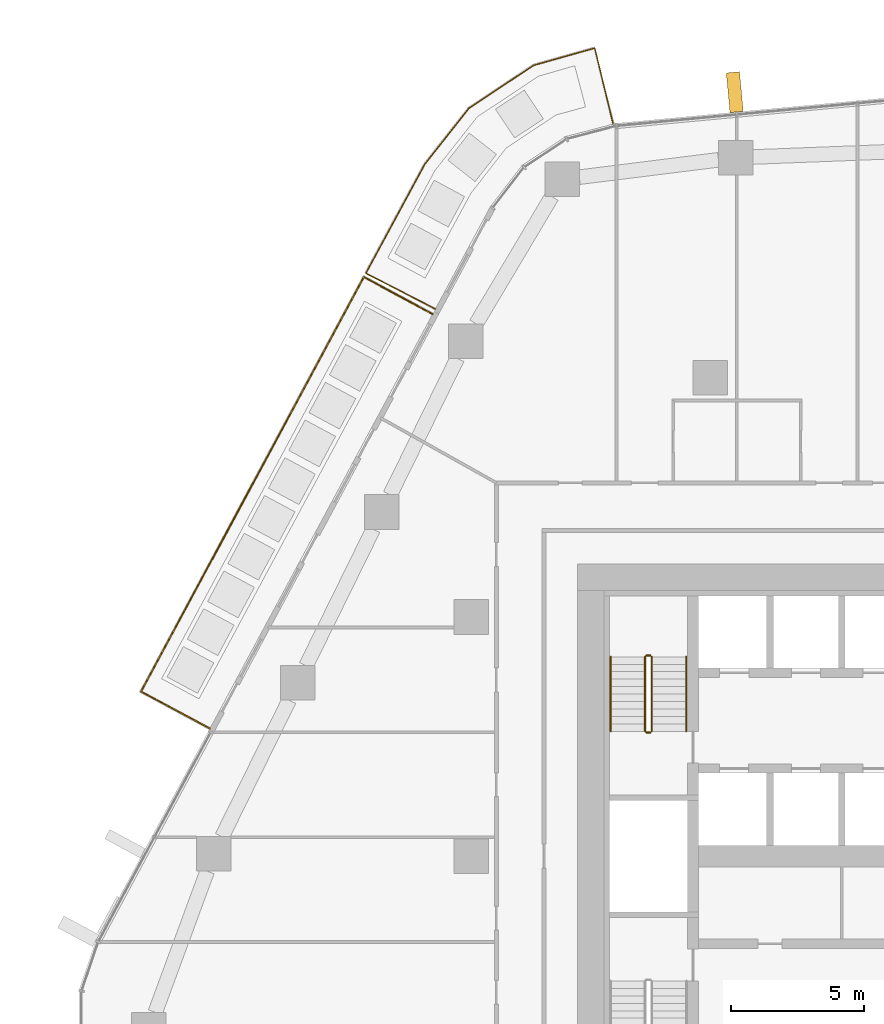
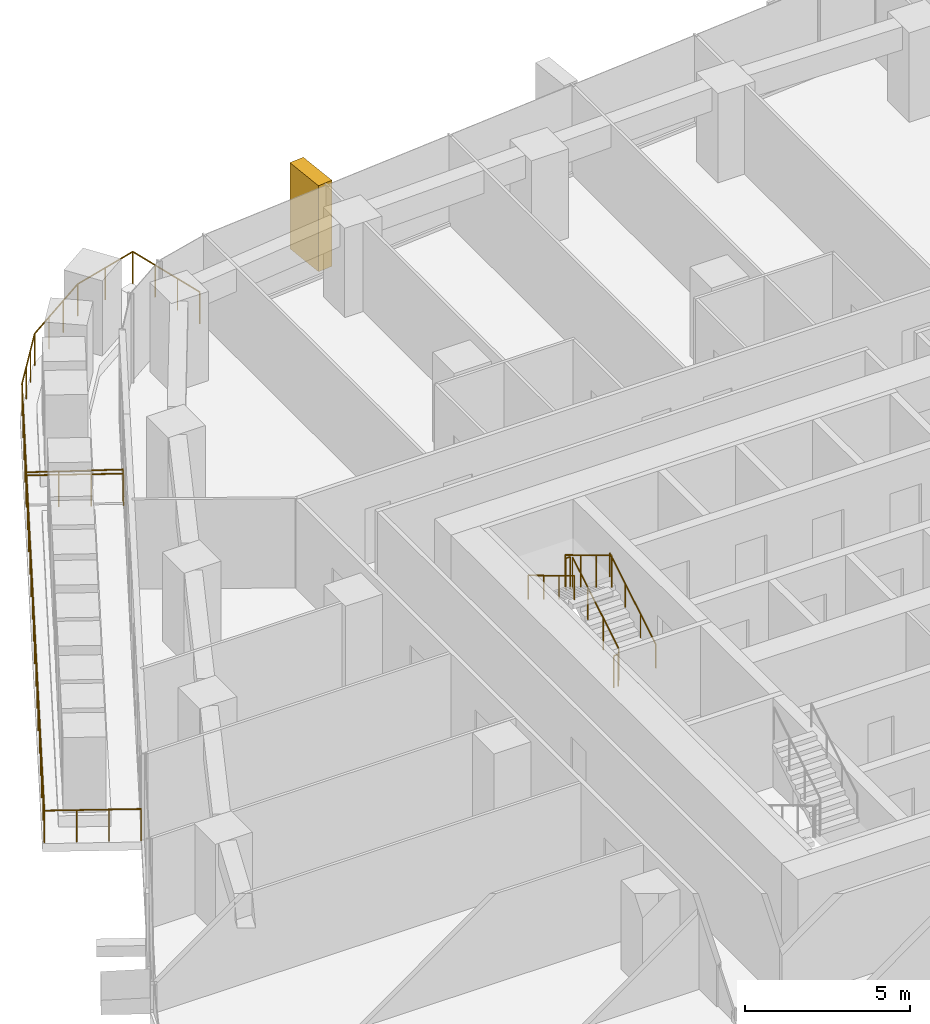
# One storey, part 22 of 24: 8 railings, 1 covering, 1 element without a shape of its own.
"""IFC4 building model written with IfcOpenShell, lengths in metres."""

from ifc_helpers import new_model, si_unit, direction, frame, origin, origin_2d, place, context, subcontext, project, spatial, rectangle, circle, extrude, material, layer, layer_set, material_profile, profile_set, type_object, element, aggregate, save


model = new_model("IFC4")

# Units and contexts
model_context = context("Model", 3, precision=1e-05, world=origin(), true_north=direction((0.0, 1.0)))
body_context = subcontext(model_context, "Body", "Model", "MODEL_VIEW")
ifc_project = project(units=[si_unit("LENGTHUNIT", "METRE"), si_unit("AREAUNIT", "SQUARE_METRE"), si_unit("VOLUMEUNIT", "CUBIC_METRE"), si_unit("PLANEANGLEUNIT", "RADIAN"), si_unit("MASSUNIT", "GRAM", prefix="KILO")], contexts=[model_context])

# Site, building, storey
site_placement = place(None, origin())
site = spatial("IfcSite", under=ifc_project, at=site_placement, CompositionType="ELEMENT")
building_placement = place(site_placement, origin())
building = spatial("IfcBuilding", under=site, at=building_placement, Name="Dongbaek Canopy Tower", CompositionType="ELEMENT")
storey_placement = place(building_placement, frame((0.0, 0.0, 117.39990234375)))
storey = spatial("IfcBuildingStorey", under=building, at=storey_placement, Name="L25", CompositionType="ELEMENT", Elevation=117.39990234375)

# Railings
ifc_material_1 = material(Name="Stainless steel", Category="steel")
railing_type_1 = type_object("IfcRailingType", Name="Balcony balustrade 1200", PredefinedType="BALUSTRADE", material=ifc_material_1)
railing_1_placement = place(storey_placement, frame((-19.446533203125, 20.402099609375, 0.0)))
element("IfcRailing", 1, at=railing_1_placement, inside=storey, type_object=railing_type_1, Name="Balcony guard L25 2", PredefinedType="BALUSTRADE", context=body_context, shape_type="SweptSolid", body=[
    extrude(circle(Radius=0.02392578125, at=origin_2d()), frame((0.0, 0.0, 1.17578125), z_axis=(-0.880868115947, 0.473361766842, 0.0), x_axis=(-0.473361766842, -0.880868115947, 0.0)), (0.0, 0.0, 1.0), 2.93994140625),
    extrude(circle(Radius=0.02392578125, at=origin_2d()), frame((-2.589599609375, 1.3916015625, 1.17578125), z_axis=(-0.473412360559, -0.880840925974, 0.0), x_axis=(0.880840925974, -0.473412360559, 0.0)), (0.0, 0.0, 1.0), 17.708251953125),
    extrude(circle(Radius=0.02392578125, at=origin_2d()), frame((-10.972900390625, -14.20654296875, 1.17578125), z_axis=(0.880833487352, -0.473426200753, 0.0), x_axis=(0.473426200753, 0.880833487352, 0.0)), (0.0, 0.0, 1.0), 2.93994140625),
    extrude(circle(Radius=0.02099609375, at=origin_2d()), origin(), (0.0, 0.0, 1.0), 1.15185546875),
    extrude(circle(Radius=0.02099609375, at=origin_2d()), frame((-0.86328125, 0.4638671875, 0.0)), (0.0, 0.0, 1.0), 1.15185546875),
    extrude(circle(Radius=0.02099609375, at=origin_2d()), frame((-1.726318359375, 0.927734375, 0.0)), (0.0, 0.0, 1.0), 1.15185546875),
    extrude(circle(Radius=0.02099609375, at=origin_2d()), frame((-2.589599609375, 1.3916015625, 0.0)), (0.0, 0.0, 1.0), 1.15185546875),
    extrude(circle(Radius=0.02099609375, at=origin_2d()), frame((-3.1484375, 0.351806640625, 0.0)), (0.0, 0.0, 1.0), 1.15185546875),
    extrude(circle(Radius=0.02099609375, at=origin_2d()), frame((-3.707275390625, -0.688232421875, 0.0)), (0.0, 0.0, 1.0), 1.15185546875),
    extrude(circle(Radius=0.02099609375, at=origin_2d()), frame((-4.266357421875, -1.72802734375, 0.0)), (0.0, 0.0, 1.0), 1.15185546875),
    extrude(circle(Radius=0.02099609375, at=origin_2d()), frame((-4.8251953125, -2.767822265625, 0.0)), (0.0, 0.0, 1.0), 1.15185546875),
    extrude(circle(Radius=0.02099609375, at=origin_2d()), frame((-5.384033203125, -3.807861328125, 0.0)), (0.0, 0.0, 1.0), 1.15185546875),
    extrude(circle(Radius=0.02099609375, at=origin_2d()), frame((-5.94287109375, -4.84765625, 0.0)), (0.0, 0.0, 1.0), 1.15185546875),
    extrude(circle(Radius=0.02099609375, at=origin_2d()), frame((-6.501708984375, -5.887451171875, 0.0)), (0.0, 0.0, 1.0), 1.15185546875),
    extrude(circle(Radius=0.02099609375, at=origin_2d()), frame((-7.060791015625, -6.927490234375, 0.0)), (0.0, 0.0, 1.0), 1.15185546875),
    extrude(circle(Radius=0.02099609375, at=origin_2d()), frame((-7.61962890625, -7.96728515625, 0.0)), (0.0, 0.0, 1.0), 1.15185546875),
    extrude(circle(Radius=0.02099609375, at=origin_2d()), frame((-8.178466796875, -9.007080078125, 0.0)), (0.0, 0.0, 1.0), 1.15185546875),
    extrude(circle(Radius=0.02099609375, at=origin_2d()), frame((-8.7373046875, -10.047119140625, 0.0)), (0.0, 0.0, 1.0), 1.15185546875),
    extrude(circle(Radius=0.02099609375, at=origin_2d()), frame((-9.296142578125, -11.0869140625, 0.0)), (0.0, 0.0, 1.0), 1.15185546875),
    extrude(circle(Radius=0.02099609375, at=origin_2d()), frame((-9.855224609375, -12.126708984375, 0.0)), (0.0, 0.0, 1.0), 1.15185546875),
    extrude(circle(Radius=0.02099609375, at=origin_2d()), frame((-10.4140625, -13.166748046875, 0.0)), (0.0, 0.0, 1.0), 1.15185546875),
    extrude(circle(Radius=0.02099609375, at=origin_2d()), frame((-10.972900390625, -14.20654296875, 0.0)), (0.0, 0.0, 1.0), 1.15185546875),
    extrude(circle(Radius=0.02099609375, at=origin_2d()), frame((-10.109619140625, -14.67041015625, 0.0)), (0.0, 0.0, 1.0), 1.15185546875),
    extrude(circle(Radius=0.02099609375, at=origin_2d()), frame((-9.24658203125, -15.134521484375, 0.0)), (0.0, 0.0, 1.0), 1.15185546875),
    extrude(circle(Radius=0.02099609375, at=origin_2d()), frame((-8.38330078125, -15.598388671875, 0.0)), (0.0, 0.0, 1.0), 1.15185546875),
])
railing_2_placement = place(storey_placement, frame((-12.654296875, 27.55224609375, 0.0)))
element("IfcRailing", 2, at=railing_2_placement, inside=storey, type_object=railing_type_1, Name="Balcony guard L25 6", PredefinedType="BALUSTRADE", context=body_context, shape_type="SweptSolid", body=[
    extrude(circle(Radius=0.02392578125, at=origin_2d()), frame((0.0, 0.0, 1.17578125), z_axis=(-0.234967872109, 0.97200313738, 0.0), x_axis=(-0.97200313738, -0.234967872109, 0.0)), (0.0, 0.0, 1.0), 2.9404296875),
    extrude(circle(Radius=0.02392578125, at=origin_2d()), frame((-0.69091796875, 2.858154296875, 1.17578125), z_axis=(-0.962683385064, -0.270630190707, 0.0), x_axis=(0.270630190707, -0.962683385064, 0.0)), (0.0, 0.0, 1.0), 2.3896484375),
    extrude(circle(Radius=0.02392578125, at=origin_2d()), frame((-2.991455078125, 2.21142578125, 1.17578125), z_axis=(-0.833398679356, -0.552672272914, 0.0), x_axis=(0.552672272914, -0.833398679356, 0.0)), (0.0, 0.0, 1.0), 2.91943359375),
    extrude(circle(Radius=0.02392578125, at=origin_2d()), frame((-5.424560546875, 0.597900390625, 1.17578125), z_axis=(-0.619549781099, -0.784957367467, 0.0), x_axis=(0.784957367467, -0.619549781099, 0.0)), (0.0, 0.0, 1.0), 2.680419921875),
    extrude(circle(Radius=0.02392578125, at=origin_2d()), frame((-7.085205078125, -1.506103515625, 1.17578125), z_axis=(-0.475286442309, -0.879831118884, 0.0), x_axis=(0.879831118884, -0.475286442309, 0.0)), (0.0, 0.0, 1.0), 4.6728515625),
    extrude(circle(Radius=0.02392578125, at=origin_2d()), frame((-9.30615234375, -5.617431640625, 1.17578125), z_axis=(0.890305305538, -0.455364099299, 0.0), x_axis=(0.455364099299, 0.890305305538, 0.0)), (0.0, 0.0, 1.0), 2.940673828125),
    extrude(circle(Radius=0.02099609375, at=origin_2d()), origin(), (0.0, 0.0, 1.0), 1.15185546875),
    extrude(circle(Radius=0.02099609375, at=origin_2d()), frame((-0.230224609375, 0.95263671875, 0.0)), (0.0, 0.0, 1.0), 1.15185546875),
    extrude(circle(Radius=0.02099609375, at=origin_2d()), frame((-0.460693359375, 1.905517578125, 0.0)), (0.0, 0.0, 1.0), 1.15185546875),
    extrude(circle(Radius=0.02099609375, at=origin_2d()), frame((-0.69091796875, 2.858154296875, 0.0)), (0.0, 0.0, 1.0), 1.15185546875),
    extrude(circle(Radius=0.02099609375, at=origin_2d()), frame((-1.84130859375, 2.53466796875, 0.0)), (0.0, 0.0, 1.0), 1.15185546875),
    extrude(circle(Radius=0.02099609375, at=origin_2d()), frame((-2.991455078125, 2.21142578125, 0.0)), (0.0, 0.0, 1.0), 1.15185546875),
    extrude(circle(Radius=0.02099609375, at=origin_2d()), frame((-3.802490234375, 1.673583984375, 0.0)), (0.0, 0.0, 1.0), 1.15185546875),
    extrude(circle(Radius=0.02099609375, at=origin_2d()), frame((-4.613525390625, 1.1357421875, 0.0)), (0.0, 0.0, 1.0), 1.15185546875),
    extrude(circle(Radius=0.02099609375, at=origin_2d()), frame((-5.424560546875, 0.597900390625, 0.0)), (0.0, 0.0, 1.0), 1.15185546875),
    extrude(circle(Radius=0.02099609375, at=origin_2d()), frame((-5.97802734375, -0.103515625, 0.0)), (0.0, 0.0, 1.0), 1.15185546875),
    extrude(circle(Radius=0.02099609375, at=origin_2d()), frame((-6.53173828125, -0.8046875, 0.0)), (0.0, 0.0, 1.0), 1.15185546875),
    extrude(circle(Radius=0.02099609375, at=origin_2d()), frame((-7.085205078125, -1.506103515625, 0.0)), (0.0, 0.0, 1.0), 1.15185546875),
    extrude(circle(Radius=0.02099609375, at=origin_2d()), frame((-7.640380859375, -2.533935546875, 0.0)), (0.0, 0.0, 1.0), 1.15185546875),
    extrude(circle(Radius=0.02099609375, at=origin_2d()), frame((-8.19580078125, -3.561767578125, 0.0)), (0.0, 0.0, 1.0), 1.15185546875),
    extrude(circle(Radius=0.02099609375, at=origin_2d()), frame((-8.7509765625, -4.589599609375, 0.0)), (0.0, 0.0, 1.0), 1.15185546875),
    extrude(circle(Radius=0.02099609375, at=origin_2d()), frame((-9.30615234375, -5.617431640625, 0.0)), (0.0, 0.0, 1.0), 1.15185546875),
    extrude(circle(Radius=0.02099609375, at=origin_2d()), frame((-8.433349609375, -6.063720703125, 0.0)), (0.0, 0.0, 1.0), 1.15185546875),
    extrude(circle(Radius=0.02099609375, at=origin_2d()), frame((-7.560791015625, -6.51025390625, 0.0)), (0.0, 0.0, 1.0), 1.15185546875),
    extrude(circle(Radius=0.02099609375, at=origin_2d()), frame((-6.68798828125, -6.95654296875, 0.0)), (0.0, 0.0, 1.0), 1.15185546875),
])

# Curtain wall, covering
ifc_material_2 = material(Name="Aluminium 6063-T6 pale anodised", Category="aluminium")
ifc_layer = layer(ifc_material_2, 0.199951171875)
ifc_layer_set = layer_set([ifc_layer], Name="CW-1 unitised tower curtain wall")
curtain_wall_type = type_object("IfcCurtainWallType", Name="CW-1 unitised tower curtain wall", PredefinedType="NOTDEFINED", material=ifc_layer_set)
curtain_wall_placement = place(storey_placement, origin())
curtain_wall = element("IfcCurtainWall", 3, at=curtain_wall_placement, inside=storey, type_object=curtain_wall_type, Name="CW-1 curtain wall F1.1", PredefinedType="NOTDEFINED")
ifc_material_3 = material(Name="Aluminium 6063-T6 pale metal fin", Category="aluminium")
ifc_material_profile = material_profile(ifc_material_3, rectangle(XDim=1.5, YDim=0.5, at=origin_2d()), Name="Fin FN1 500 x 1500 pale metal")
ifc_profile_set = profile_set([ifc_material_profile], Name="Aluminium 6063-T6 pale metal fin")
covering_type = type_object("IfcCoveringType", Name="Fin FN1 500 x 1500 pale metal", PredefinedType="CLADDING", material=ifc_profile_set)
covering_placement = place(storey_placement, frame((-8.076171875, 28.7529296875, 0.1201171875), z_axis=(0.0, 0.0, 1.0), x_axis=(-0.093397804951, 0.995628871634, 0.0)))
covering = element("IfcCovering", 4, at=covering_placement, type_object=covering_type, Name="Fin F1.1.5", PredefinedType="CLADDING", context=body_context, shape_type="SweptSolid", body=[
    extrude(rectangle(XDim=1.5, YDim=0.5, at=origin_2d()), origin(), (0.0, 0.0, 1.0), 3.179931640625),
])
aggregate(curtain_wall, [covering])

# Railings
ifc_material_4 = material(Name="Stainless steel tube and balusters", Category="steel")
railing_type_2 = type_object("IfcRailingType", Name="Stair guard 1200", PredefinedType="GUARDRAIL", material=ifc_material_4)
railing_3_placement = place(storey_placement, frame((-11.199951171875, 4.699951171875, 0.168212890625)))
element("IfcRailing", 5, at=railing_3_placement, inside=storey, type_object=railing_type_2, Name="L25 ST-C stair guard 1", PredefinedType="GUARDRAIL", context=body_context, shape_type="SweptSolid", body=[
    extrude(circle(Radius=0.02392578125, at=origin_2d()), frame((0.0, 0.0, 1.17578125), z_axis=(0.0, 0.857242210791, 0.514913383045), x_axis=(-1.0, 0.0, 0.0)), (0.0, 0.0, 1.0), 3.266357421875),
    extrude(circle(Radius=0.02099609375, at=origin_2d()), origin(), (0.0, 0.0, 1.0), 1.15185546875),
    extrude(circle(Radius=0.02099609375, at=origin_2d()), frame((0.0, 0.933349609375, 0.560546875)), (0.0, 0.0, 1.0), 1.15185546875),
    extrude(circle(Radius=0.02099609375, at=origin_2d()), frame((0.0, 1.86669921875, 1.121337890625)), (0.0, 0.0, 1.0), 1.15185546875),
    extrude(circle(Radius=0.02099609375, at=origin_2d()), frame((0.0, 2.800048828125, 1.681884765625)), (0.0, 0.0, 1.0), 1.15185546875),
])
railing_4_placement = place(storey_placement, frame((-11.25, 7.550048828125, 1.85009765625)))
element("IfcRailing", 6, at=railing_4_placement, inside=storey, type_object=railing_type_2, Name="L25 ST-C stair guard 2", PredefinedType="GUARDRAIL", context=body_context, shape_type="SweptSolid", body=[
    extrude(circle(Radius=0.02392578125, at=origin_2d()), frame((0.0, 0.0, 1.17578125), z_axis=(-1.0, 0.0, 0.0), x_axis=(0.0, -1.0, 0.0)), (0.0, 0.0, 1.0), 0.14990234375),
    extrude(circle(Radius=0.02099609375, at=origin_2d()), origin(), (0.0, 0.0, 1.0), 1.15185546875),
    extrude(circle(Radius=0.02099609375, at=origin_2d()), frame((-0.14990234375, 0.0, 0.0)), (0.0, 0.0, 1.0), 1.15185546875),
])
railing_5_placement = place(storey_placement, frame((-11.449951171875, 7.5, 2.018310546875)))
element("IfcRailing", 7, at=railing_5_placement, inside=storey, type_object=railing_type_2, Name="L25 ST-C stair guard 3", PredefinedType="GUARDRAIL", context=body_context, shape_type="SweptSolid", body=[
    extrude(circle(Radius=0.02392578125, at=origin_2d()), frame((0.0, 0.0, 1.17578125), z_axis=(0.0, -0.857242210791, 0.514913383045), x_axis=(1.0, 0.0, 0.0)), (0.0, 0.0, 1.0), 3.266357421875),
    extrude(circle(Radius=0.02099609375, at=origin_2d()), origin(), (0.0, 0.0, 1.0), 1.15185546875),
    extrude(circle(Radius=0.02099609375, at=origin_2d()), frame((0.0, -0.933349609375, 0.560546875)), (0.0, 0.0, 1.0), 1.15185546875),
    extrude(circle(Radius=0.02099609375, at=origin_2d()), frame((0.0, -1.86669921875, 1.121337890625)), (0.0, 0.0, 1.0), 1.15185546875),
    extrude(circle(Radius=0.02099609375, at=origin_2d()), frame((0.0, -2.800048828125, 1.681884765625)), (0.0, 0.0, 1.0), 1.15185546875),
])
railing_6_placement = place(storey_placement, frame((-11.25, 4.64990234375, 0.0)))
element("IfcRailing", 8, at=railing_6_placement, inside=storey, type_object=railing_type_2, Name="L25 ST-C stair guard 4", PredefinedType="GUARDRAIL", context=body_context, shape_type="SweptSolid", body=[
    extrude(circle(Radius=0.02392578125, at=origin_2d()), frame((0.0, 0.0, 1.17578125), z_axis=(-1.0, 0.0, 0.0), x_axis=(0.0, -1.0, 0.0)), (0.0, 0.0, 1.0), 0.14990234375),
    extrude(circle(Radius=0.02099609375, at=origin_2d()), origin(), (0.0, 0.0, 1.0), 1.15185546875),
    extrude(circle(Radius=0.02099609375, at=origin_2d()), frame((-0.14990234375, 0.0, 0.0)), (0.0, 0.0, 1.0), 1.15185546875),
])
ifc_material_5 = material(Name="Stainless steel tube", Category="steel")
railing_type_3 = type_object("IfcRailingType", Name="Stair handrail 900", PredefinedType="HANDRAIL", material=ifc_material_5)
railing_7_placement = place(storey_placement, frame((-9.89990234375, 4.699951171875, 0.168212890625)))
element("IfcRailing", 9, at=railing_7_placement, inside=storey, type_object=railing_type_3, Name="L25 ST-C stair handrail 1", PredefinedType="HANDRAIL", context=body_context, shape_type="SweptSolid", body=[
    extrude(circle(Radius=0.02392578125, at=origin_2d()), frame((0.0, 0.0, 0.8759765625), z_axis=(0.0, 0.857242210791, 0.514913383045), x_axis=(-1.0, 0.0, 0.0)), (0.0, 0.0, 1.0), 3.266357421875),
    extrude(circle(Radius=0.02099609375, at=origin_2d()), origin(), (0.0, 0.0, 1.0), 0.851806640625),
    extrude(circle(Radius=0.02099609375, at=origin_2d()), frame((0.0, 0.933349609375, 0.560546875)), (0.0, 0.0, 1.0), 0.851806640625),
    extrude(circle(Radius=0.02099609375, at=origin_2d()), frame((0.0, 1.86669921875, 1.121337890625)), (0.0, 0.0, 1.0), 0.851806640625),
    extrude(circle(Radius=0.02099609375, at=origin_2d()), frame((0.0, 2.800048828125, 1.681884765625)), (0.0, 0.0, 1.0), 0.851806640625),
])
railing_8_placement = place(storey_placement, frame((-12.75, 7.5, 2.018310546875)))
element("IfcRailing", 10, at=railing_8_placement, inside=storey, type_object=railing_type_3, Name="L25 ST-C stair handrail 2", PredefinedType="HANDRAIL", context=body_context, shape_type="SweptSolid", body=[
    extrude(circle(Radius=0.02392578125, at=origin_2d()), frame((0.0, 0.0, 0.8759765625), z_axis=(0.0, -0.857242210791, 0.514913383045), x_axis=(1.0, 0.0, 0.0)), (0.0, 0.0, 1.0), 3.266357421875),
    extrude(circle(Radius=0.02099609375, at=origin_2d()), origin(), (0.0, 0.0, 1.0), 0.851806640625),
    extrude(circle(Radius=0.02099609375, at=origin_2d()), frame((0.0, -0.933349609375, 0.560546875)), (0.0, 0.0, 1.0), 0.851806640625),
    extrude(circle(Radius=0.02099609375, at=origin_2d()), frame((0.0, -1.86669921875, 1.121337890625)), (0.0, 0.0, 1.0), 0.851806640625),
    extrude(circle(Radius=0.02099609375, at=origin_2d()), frame((0.0, -2.800048828125, 1.681884765625)), (0.0, 0.0, 1.0), 0.851806640625),
])

save(model, "model.ifc")
